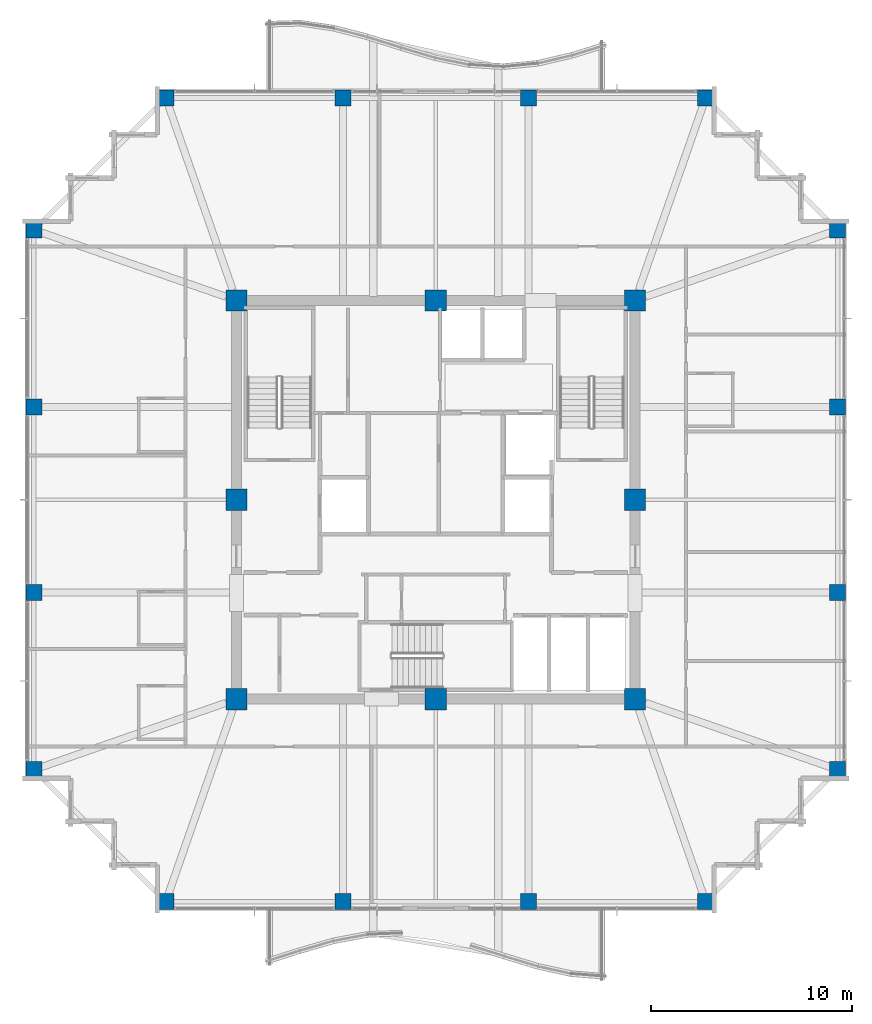
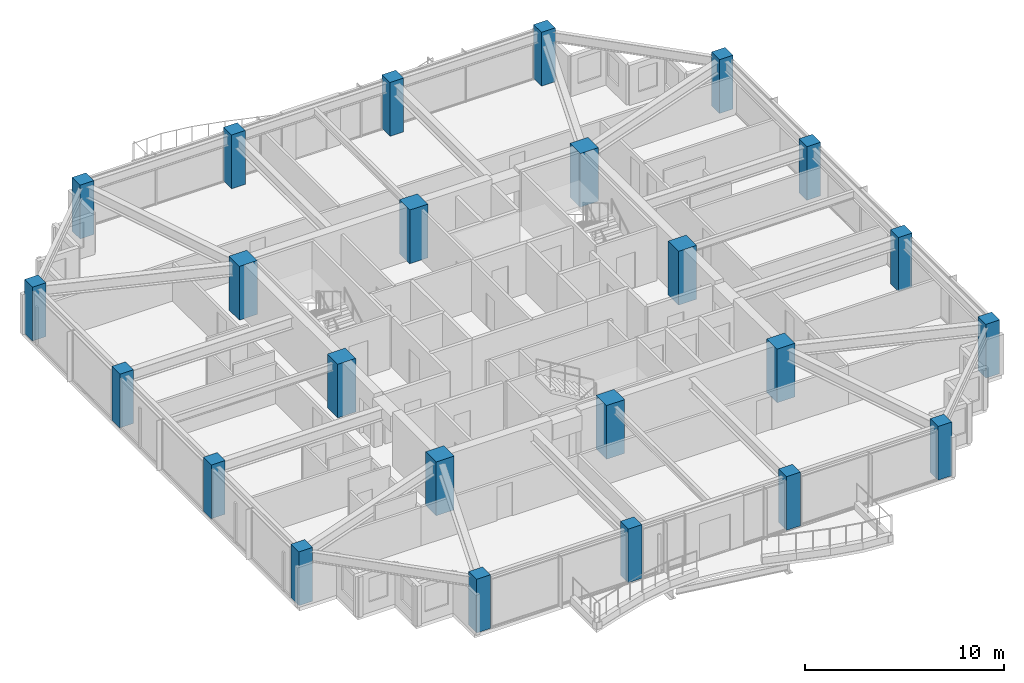
# One storey, part 1 of 36: 24 columns.
"""IFC4 building model written with IfcOpenShell, lengths in metres."""

from ifc_helpers import new_model, si_unit, direction, frame, origin, origin_2d, place, context, subcontext, project, spatial, rectangle, extrude, material, material_profile, profile_set, type_object, element, save


model = new_model("IFC4")

# Units and contexts
model_context = context("Model", 3, precision=1e-05, world=origin(), true_north=direction((0.0, 1.0)))
body_context = subcontext(model_context, "Body", "Model", "MODEL_VIEW")
ifc_project = project(units=[si_unit("LENGTHUNIT", "METRE"), si_unit("AREAUNIT", "SQUARE_METRE"), si_unit("VOLUMEUNIT", "CUBIC_METRE"), si_unit("PLANEANGLEUNIT", "RADIAN"), si_unit("MASSUNIT", "GRAM", prefix="KILO")], contexts=[model_context])

# Site, building, storey
site_placement = place(None, origin())
site = spatial("IfcSite", under=ifc_project, at=site_placement, CompositionType="ELEMENT")
building_placement = place(site_placement, origin())
building = spatial("IfcBuilding", under=site, at=building_placement, Name="Kolvaren Belvedere", CompositionType="ELEMENT")
storey_placement = place(building_placement, frame((0.0, 0.0, 196.5)))
storey = spatial("IfcBuildingStorey", under=building, at=storey_placement, Name="L57", CompositionType="ELEMENT", Elevation=196.5)

# Columns
ifc_material_1 = material(Name="Concrete C50/60", Category="concrete")
ifc_material_profile_1 = material_profile(ifc_material_1, rectangle(XDim=1.050048828125, YDim=1.050048828125, at=origin_2d()), Name="RC 1050X1050")
ifc_profile_set_1 = profile_set([ifc_material_profile_1], Name="Concrete C50/60")
column_type_1 = type_object("IfcColumnType", Name="COL-RC-1050", PredefinedType="COLUMN", material=ifc_profile_set_1)
for number, where, z_axis, x_axis, name in (
    (1, (-9.89990234375, -9.89990234375, 0.0), (0.0, 0.0, 1.0), (1.0, 0.0, 0.0), "L57 Core Column CC1"),
    (2, (9.89990234375, -9.89990234375, 0.0), (0.0, 0.0, 1.0), (1.0, 0.0, 0.0), "L57 Core Column CC2"),
    (3, (9.89990234375, 9.89990234375, 0.0), (0.0, 0.0, 1.0), (1.0, 0.0, 0.0), "L57 Core Column CC3"),
    (4, (-9.89990234375, 9.89990234375, 0.0), (0.0, 0.0, 1.0), (1.0, 0.0, 0.0), "L57 Core Column CC4"),
    (5, (0.0, -9.89990234375, 0.0), (0.0, 0.0, 1.0), (1.0, 0.0, 0.0), "L57 Core Column CM1"),
    (6, (9.89990234375, 0.0, 0.0), (0.0, 0.0, 1.0), (1.0, 0.0, 0.0), "L57 Core Column CM2"),
    (7, (0.0, 9.89990234375, 0.0), (0.0, 0.0, 1.0), (1.0, 0.0, 0.0), "L57 Core Column CM3"),
    (8, (-9.89990234375, 0.0, 0.0), (0.0, 0.0, 1.0), (1.0, 0.0, 0.0), "L57 Core Column CM4"),
):
    element("IfcColumn", number, at=place(storey_placement, frame(where, z_axis=z_axis, x_axis=x_axis)), inside=storey, type_object=column_type_1, Name=name, PredefinedType="COLUMN", context=body_context, shape_type="SweptSolid", body=[
        extrude(rectangle(XDim=1.050048828125, YDim=1.050048828125, at=origin_2d()), origin(), (0.0, 0.0, 1.0), 3.300048828125),
    ])
ifc_material_2 = material(Name="Concrete C50/60", Category="concrete")
ifc_material_profile_2 = material_profile(ifc_material_2, rectangle(XDim=0.800048828125, YDim=0.800048828125, at=origin_2d()), Name="RC 800X800")
ifc_profile_set_2 = profile_set([ifc_material_profile_2], Name="Concrete C50/60")
column_type_2 = type_object("IfcColumnType", Name="COL-RC-800", PredefinedType="COLUMN", material=ifc_profile_set_2)
for number, where, z_axis, x_axis, name in (
    (9, (-13.39990234375, -19.949951171875, 0.0), (0.0, 0.0, 1.0), (1.0, 0.0, 0.0), "L57 Perimeter Column S1"),
    (10, (-4.60009765625, -19.949951171875, 0.0), (0.0, 0.0, 1.0), (1.0, 0.0, 0.0), "L57 Perimeter Column S2"),
    (11, (4.60009765625, -19.949951171875, 0.0), (0.0, 0.0, 1.0), (1.0, 0.0, 0.0), "L57 Perimeter Column S3"),
    (12, (13.39990234375, -19.949951171875, 0.0), (0.0, 0.0, 1.0), (1.0, 0.0, 0.0), "L57 Perimeter Column S4"),
    (13, (-13.39990234375, 19.949951171875, 0.0), (0.0, 0.0, 1.0), (1.0, 0.0, 0.0), "L57 Perimeter Column N1"),
    (14, (-4.60009765625, 19.949951171875, 0.0), (0.0, 0.0, 1.0), (1.0, 0.0, 0.0), "L57 Perimeter Column N2"),
    (15, (4.60009765625, 19.949951171875, 0.0), (0.0, 0.0, 1.0), (1.0, 0.0, 0.0), "L57 Perimeter Column N3"),
    (16, (13.39990234375, 19.949951171875, 0.0), (0.0, 0.0, 1.0), (1.0, 0.0, 0.0), "L57 Perimeter Column N4"),
    (17, (-19.949951171875, -13.39990234375, 0.0), (0.0, 0.0, 1.0), (1.0, 0.0, 0.0), "L57 Perimeter Column W1"),
    (18, (-19.949951171875, -4.60009765625, 0.0), (0.0, 0.0, 1.0), (1.0, 0.0, 0.0), "L57 Perimeter Column W2"),
    (19, (-19.949951171875, 4.60009765625, 0.0), (0.0, 0.0, 1.0), (1.0, 0.0, 0.0), "L57 Perimeter Column W3"),
    (20, (-19.949951171875, 13.39990234375, 0.0), (0.0, 0.0, 1.0), (1.0, 0.0, 0.0), "L57 Perimeter Column W4"),
    (21, (19.949951171875, -13.39990234375, 0.0), (0.0, 0.0, 1.0), (1.0, 0.0, 0.0), "L57 Perimeter Column E1"),
    (22, (19.949951171875, -4.60009765625, 0.0), (0.0, 0.0, 1.0), (1.0, 0.0, 0.0), "L57 Perimeter Column E2"),
    (23, (19.949951171875, 4.60009765625, 0.0), (0.0, 0.0, 1.0), (1.0, 0.0, 0.0), "L57 Perimeter Column E3"),
    (24, (19.949951171875, 13.39990234375, 0.0), (0.0, 0.0, 1.0), (1.0, 0.0, 0.0), "L57 Perimeter Column E4"),
):
    element("IfcColumn", number, at=place(storey_placement, frame(where, z_axis=z_axis, x_axis=x_axis)), inside=storey, type_object=column_type_2, Name=name, PredefinedType="COLUMN", context=body_context, shape_type="SweptSolid", body=[
        extrude(rectangle(XDim=0.800048828125, YDim=0.800048828125, at=origin_2d()), origin(), (0.0, 0.0, 1.0), 3.300048828125),
    ])

save(model, "model.ifc")
